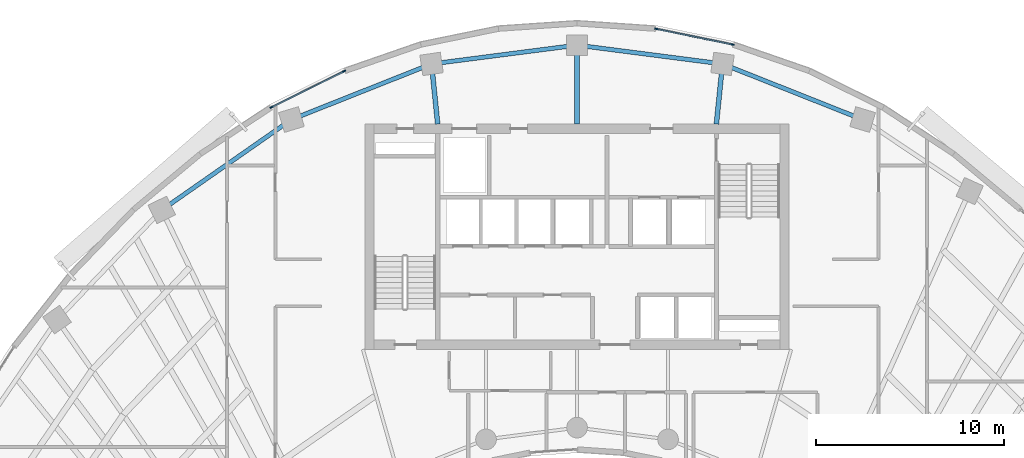
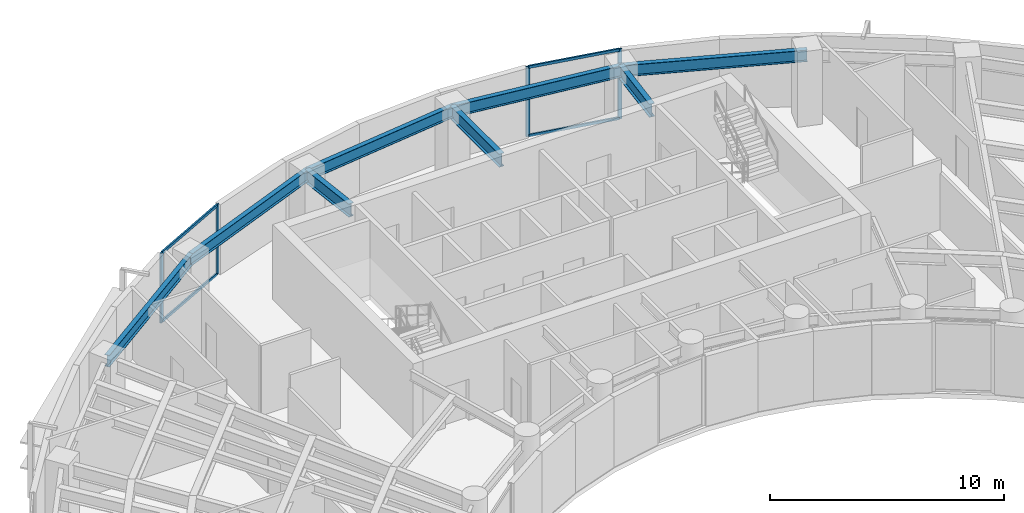
# One storey, part 5 of 12: 8 beams, 8 members, 2 elements without a shape of their own.
"""IFC4 building model written with IfcOpenShell, lengths in metres."""

from ifc_helpers import new_model, si_unit, direction, frame, origin, origin_2d, place, context, subcontext, project, spatial, rectangle, i_section, extrude, source, transform, mapped, material, layer, layer_set, material_profile, profile_set, type_object, element, aggregate, save


model = new_model("IFC4")

# Units and contexts
model_context = context("Model", 3, precision=1e-05, world=origin(), true_north=direction((0.0, 1.0)))
body_context = subcontext(model_context, "Body", "Model", "MODEL_VIEW")
ifc_project = project(units=[si_unit("LENGTHUNIT", "METRE"), si_unit("AREAUNIT", "SQUARE_METRE"), si_unit("VOLUMEUNIT", "CUBIC_METRE"), si_unit("PLANEANGLEUNIT", "RADIAN"), si_unit("MASSUNIT", "GRAM", prefix="KILO")], contexts=[model_context])

# Site, building, storey
site_placement = place(None, origin())
site = spatial("IfcSite", under=ifc_project, at=site_placement, CompositionType="ELEMENT")
building_placement = place(site_placement, origin())
building = spatial("IfcBuilding", under=site, at=building_placement, Name="Breltana Convention Tower", CompositionType="ELEMENT")
storey_placement = place(building_placement, frame((0.0, 0.0, 150.60009765625)))
storey = spatial("IfcBuildingStorey", under=building, at=storey_placement, Name="L36", CompositionType="ELEMENT", Elevation=150.60009765625)

# Beams
ifc_material_1 = material(Name="Steel ASTM A992 Grade 50", Category="steel")
ifc_material_profile_1 = material_profile(ifc_material_1, i_section(OverallWidth=0.25390625, OverallDepth=0.68798828125, WebThickness=0.01318359375, FlangeThickness=0.02099609375, at=origin_2d()), Name="W27X102")
ifc_profile_set_1 = profile_set([ifc_material_profile_1], Name="Steel ASTM A992 Grade 50")
beam_type_1 = type_object("IfcBeamType", Name="BM-RG-W27X102", PredefinedType="USERDEFINED", material=ifc_profile_set_1)
shared_shape_1 = source(origin(), body_context, "Body", "SweptSolid", [
    extrude(i_section(OverallWidth=0.25390625, OverallDepth=0.68798828125, WebThickness=0.01318359375, FlangeThickness=0.02099609375, at=origin_2d()), origin(), (0.0, 0.0, 1.0), 3.220947265625),
])
for number, where, z_axis, x_axis, name in (
    (1, (40.580078125, 72.199951171875, 3.305908203125), (-0.101492254858, 0.994836329355, 0.0), (-0.994836329355, -0.101492254858, 0.0), "L36 North Core Radial Girder R05"),
    (2, (55.419921875, 72.199951171875, 3.305908203125), (0.101492254858, 0.994836329355, 0.0), (-0.994836329355, 0.101492254858, 0.0), "L36 North Core Radial Girder R07"),
):
    element("IfcBeam", number, at=place(storey_placement, frame(where, z_axis=z_axis, x_axis=x_axis)), inside=storey, type_object=beam_type_1, Name=name, ObjectType="GIRDER", PredefinedType="USERDEFINED", context=body_context, shape_type="MappedRepresentation", body=[
        mapped(shared_shape_1, transform((0.0, 0.0, 0.0), scale=1.0)),
    ])
shared_shape_2 = source(origin(), body_context, "Body", "SweptSolid", [
    extrude(i_section(OverallWidth=0.25390625, OverallDepth=0.68798828125, WebThickness=0.01318359375, FlangeThickness=0.02099609375, at=origin_2d()), origin(), (0.0, 0.0, 1.0), 4.2041015625),
])
beam_1_placement = place(storey_placement, frame((48.0, 72.199951171875, 3.305908203125), z_axis=(0.0, 1.0, 0.0), x_axis=(-1.0, 0.0, 0.0)))
element("IfcBeam", 3, at=beam_1_placement, inside=storey, type_object=beam_type_1, Name="L36 North Core Radial Girder R06", ObjectType="GIRDER", PredefinedType="USERDEFINED", context=body_context, shape_type="MappedRepresentation", body=[
    mapped(shared_shape_2, transform((0.0, 0.0, 0.0), scale=1.0)),
])
ifc_material_profile_2 = material_profile(ifc_material_1, i_section(OverallWidth=0.22802734375, OverallDepth=0.60791015625, WebThickness=0.01123046875, FlangeThickness=0.017333984375, at=origin_2d()), Name="W24X76")
ifc_profile_set_2 = profile_set([ifc_material_profile_2], Name="Steel ASTM A992 Grade 50")
beam_type_2 = type_object("IfcBeamType", Name="BM-SP-W24X76", PredefinedType="SPANDREL", material=ifc_profile_set_2)
shared_shape_3 = source(origin(), body_context, "Body", "SweptSolid", [
    extrude(i_section(OverallWidth=0.22802734375, OverallDepth=0.60791015625, WebThickness=0.01123046875, FlangeThickness=0.017333984375, at=origin_2d()), origin(), (0.0, 0.0, 1.0), 8.4169921875),
])
beam_2_placement = place(storey_placement, frame((25.8876953125, 67.626953125, 3.345947265625), z_axis=(0.820173800102, 0.572114444519, 0.0), x_axis=(-0.572114444519, 0.820173800102, 0.0)))
element("IfcBeam", 4, at=beam_2_placement, inside=storey, type_object=beam_type_2, Name="L36 Outer Spandrel Beam 03", PredefinedType="SPANDREL", context=body_context, shape_type="MappedRepresentation", body=[
    mapped(shared_shape_3, transform((0.0, 0.0, 0.0), scale=1.0)),
])
shared_shape_4 = source(origin(), body_context, "Body", "SweptSolid", [
    extrude(i_section(OverallWidth=0.22802734375, OverallDepth=0.60791015625, WebThickness=0.01123046875, FlangeThickness=0.017333984375, at=origin_2d()), origin(), (0.0, 0.0, 1.0), 8.028564453125),
])
for number, where, z_axis, x_axis, name in (
    (5, (32.791015625, 72.4423828125, 3.345947265625), (0.929459100394, 0.368925169507, 0.0), (-0.368925169507, 0.929459100394, 0.0), "L36 Outer Spandrel Beam 04"),
    (6, (55.746826171875, 75.404296875, 3.345947265625), (0.929459100394, -0.368925169507, 0.0), (0.368925169507, 0.929459100394, 0.0), "L36 Outer Spandrel Beam 07"),
):
    element("IfcBeam", number, at=place(storey_placement, frame(where, z_axis=z_axis, x_axis=x_axis)), inside=storey, type_object=beam_type_2, Name=name, PredefinedType="SPANDREL", context=body_context, shape_type="MappedRepresentation", body=[
        mapped(shared_shape_4, transform((0.0, 0.0, 0.0), scale=1.0)),
    ])
shared_shape_5 = source(origin(), body_context, "Body", "SweptSolid", [
    extrude(i_section(OverallWidth=0.22802734375, OverallDepth=0.60791015625, WebThickness=0.01123046875, FlangeThickness=0.017333984375, at=origin_2d()), origin(), (0.0, 0.0, 1.0), 7.81103515625),
])
for number, where, z_axis, x_axis, name in (
    (7, (40.253173828125, 75.404296875, 3.345947265625), (0.991775179127, 0.127992164083, 0.0), (-0.127992164083, 0.991775179127, 0.0), "L36 Outer Spandrel Beam 05"),
    (8, (48.0, 76.404052734375, 3.345947265625), (0.991775179127, -0.127992164083, 0.0), (0.127992164083, 0.991775179127, 0.0), "L36 Outer Spandrel Beam 06"),
):
    element("IfcBeam", number, at=place(storey_placement, frame(where, z_axis=z_axis, x_axis=x_axis)), inside=storey, type_object=beam_type_2, Name=name, PredefinedType="SPANDREL", context=body_context, shape_type="MappedRepresentation", body=[
        mapped(shared_shape_5, transform((0.0, 0.0, 0.0), scale=1.0)),
    ])

# Curtain wall, members
ifc_material_2 = material(Name="Aluminium Anodised Bronze Frame", Category="aluminium")
ifc_layer = layer(ifc_material_2, 0.2099609375, Name="Aluminium Anodised Bronze Frame")
ifc_layer_set = layer_set([ifc_layer], Name="Aluminium Anodised Bronze Frame")
curtain_wall_type = type_object("IfcCurtainWallType", Name="CW-SYS-3", PredefinedType="NOTDEFINED", material=ifc_layer_set)
curtain_wall_1_placement = place(storey_placement, origin())
curtain_wall_1 = element("IfcCurtainWall", 9, at=curtain_wall_1_placement, inside=storey, type_object=curtain_wall_type, Name="L36 outer double-skin inner glazing 2", PredefinedType="NOTDEFINED")
ifc_material_3 = material(Name="Aluminium Anodised Bronze", Category="aluminium")
ifc_material_profile_3 = material_profile(ifc_material_3, rectangle(XDim=0.070068359375, YDim=0.175048828125, at=origin_2d()), Name="CWM-70X175")
ifc_profile_set_3 = profile_set([ifc_material_profile_3], Name="Aluminium Anodised Bronze")
member_type_1 = type_object("IfcMemberType", Name="CWM-175", PredefinedType="MULLION", material=ifc_profile_set_3)
shared_shape_6 = source(origin(), body_context, "Body", "SweptSolid", [
    extrude(rectangle(XDim=0.070068359375, YDim=0.175048828125, at=origin_2d()), origin(), (0.0, 0.0, 1.0), 3.64990234375),
])
member_1_placement = place(storey_placement, frame((31.733154296875, 73.095458984375, 0.0), z_axis=(0.0, 0.0, 1.0), x_axis=(-0.444117835682, 0.895968385619, 0.0)))
member_1 = element("IfcMember", 10, at=member_1_placement, type_object=member_type_1, Name="CW-03 mullion 1", PredefinedType="MULLION", context=body_context, shape_type="MappedRepresentation", body=[
    mapped(shared_shape_6, transform((0.0, 0.0, 0.0), scale=1.0)),
])
member_2_placement = place(storey_placement, frame((35.59814453125, 75.011474609375, 0.0), z_axis=(0.0, 0.0, 1.0), x_axis=(-0.444117835682, 0.895968385619, 0.0)))
member_2 = element("IfcMember", 11, at=member_2_placement, type_object=member_type_1, Name="CW-03 mullion 2", PredefinedType="MULLION", context=body_context, shape_type="MappedRepresentation", body=[
    mapped(shared_shape_6, transform((0.0, 0.0, 0.0), scale=1.0)),
])

curtain_wall_2_placement = place(storey_placement, origin())
curtain_wall_2 = element("IfcCurtainWall", 12, at=curtain_wall_2_placement, inside=storey, type_object=curtain_wall_type, Name="L36 outer double-skin inner glazing 3", PredefinedType="NOTDEFINED")
member_3_placement = place(storey_placement, frame((52.2138671875, 77.272705078125, 0.0), z_axis=(0.0, 0.0, 1.0), x_axis=(0.200876562668, 0.979616560993, 0.0)))
member_3 = element("IfcMember", 13, at=member_3_placement, type_object=member_type_1, Name="CW-03 mullion 1", PredefinedType="MULLION", context=body_context, shape_type="MappedRepresentation", body=[
    mapped(shared_shape_6, transform((0.0, 0.0, 0.0), scale=1.0)),
])
member_4_placement = place(storey_placement, frame((56.28271484375, 76.4384765625, 0.0), z_axis=(0.0, 0.0, 1.0), x_axis=(0.200876562668, 0.979616560993, 0.0)))
member_4 = element("IfcMember", 14, at=member_4_placement, type_object=member_type_1, Name="CW-03 mullion 2", PredefinedType="MULLION", context=body_context, shape_type="MappedRepresentation", body=[
    mapped(shared_shape_6, transform((0.0, 0.0, 0.0), scale=1.0)),
])

# Member
ifc_material_profile_4 = material_profile(ifc_material_3, rectangle(XDim=0.080078125, YDim=0.139892578125, at=origin_2d()), Name="CWT-80X140")
ifc_profile_set_4 = profile_set([ifc_material_profile_4], Name="Aluminium Anodised Bronze")
member_type_2 = type_object("IfcMemberType", Name="CWT-140", PredefinedType="USERDEFINED", material=ifc_profile_set_4)
shared_shape_7 = source(origin(), body_context, "Body", "SweptSolid", [
    extrude(rectangle(XDim=0.080078125, YDim=0.139892578125, at=origin_2d()), origin(), (0.0, 0.0, 1.0), 4.243896484375),
])
member_5_placement = place(storey_placement, frame((31.764404296875, 73.111083984375, 0.039794921875), z_axis=(0.895975011629, 0.444104468043, 0.0), x_axis=(-0.444104468043, 0.895975011629, 0.0)))
member_5 = element("IfcMember", 15, at=member_5_placement, type_object=member_type_2, Name="CW-03 transom 1.1", ObjectType="TRANSOM", PredefinedType="USERDEFINED", context=body_context, shape_type="MappedRepresentation", body=[
    mapped(shared_shape_7, transform((0.0, 0.0, 0.0), scale=1.0)),
])

member_6_placement = place(storey_placement, frame((31.764404296875, 73.111083984375, 3.60986328125), z_axis=(0.895975011629, 0.444104468043, 0.0), x_axis=(-0.444104468043, 0.895975011629, 0.0)))
member_6 = element("IfcMember", 16, at=member_6_placement, type_object=member_type_2, Name="CW-03 transom 1.2", ObjectType="TRANSOM", PredefinedType="USERDEFINED", context=body_context, shape_type="MappedRepresentation", body=[
    mapped(shared_shape_7, transform((0.0, 0.0, 0.0), scale=1.0)),
])

aggregate(curtain_wall_1, [member_1, member_2, member_5, member_6])

shared_shape_8 = source(origin(), body_context, "Body", "SweptSolid", [
    extrude(rectangle(XDim=0.080078125, YDim=0.139892578125, at=origin_2d()), origin(), (0.0, 0.0, 1.0), 4.08349609375),
])
member_7_placement = place(storey_placement, frame((52.248291015625, 77.265625, 0.039794921875), z_axis=(0.979626533509, -0.20082792347, 0.0), x_axis=(0.20082792347, 0.979626533509, 0.0)))
member_7 = element("IfcMember", 17, at=member_7_placement, type_object=member_type_2, Name="CW-03 transom 1.1", ObjectType="TRANSOM", PredefinedType="USERDEFINED", context=body_context, shape_type="MappedRepresentation", body=[
    mapped(shared_shape_8, transform((0.0, 0.0, 0.0), scale=1.0)),
])

member_8_placement = place(storey_placement, frame((52.248291015625, 77.265625, 3.60986328125), z_axis=(0.979626533509, -0.20082792347, 0.0), x_axis=(0.20082792347, 0.979626533509, 0.0)))
member_8 = element("IfcMember", 18, at=member_8_placement, type_object=member_type_2, Name="CW-03 transom 1.2", ObjectType="TRANSOM", PredefinedType="USERDEFINED", context=body_context, shape_type="MappedRepresentation", body=[
    mapped(shared_shape_8, transform((0.0, 0.0, 0.0), scale=1.0)),
])

aggregate(curtain_wall_2, [member_3, member_4, member_7, member_8])

save(model, "model.ifc")
